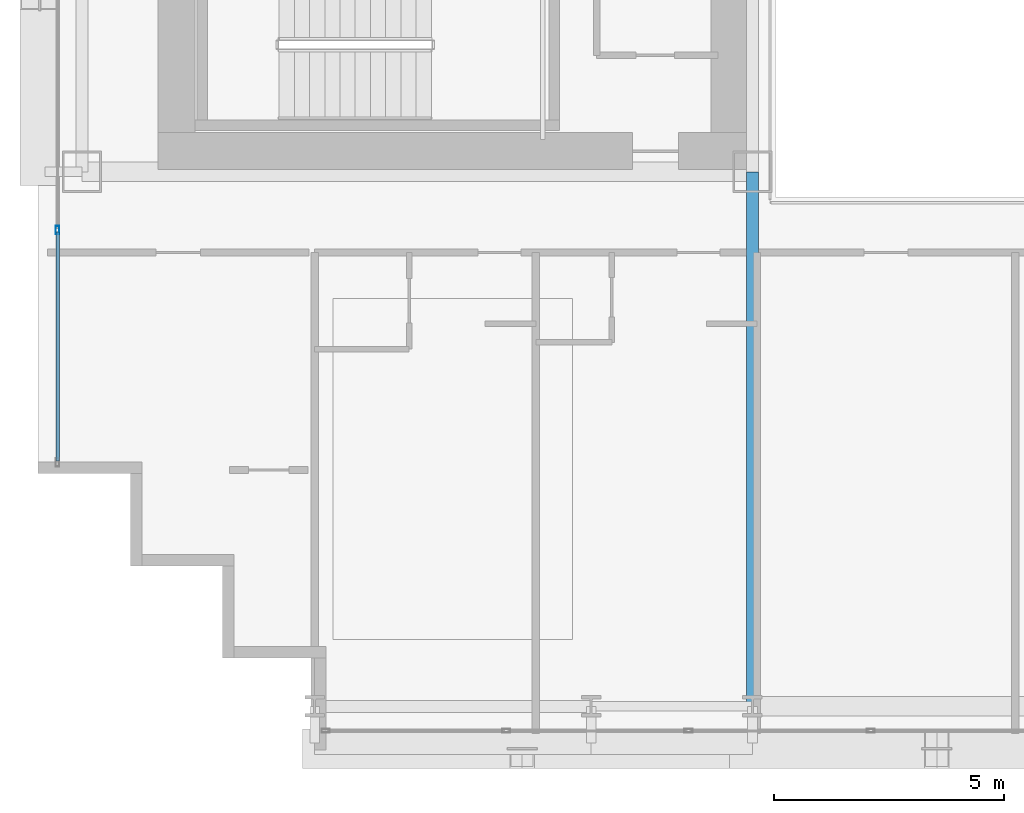
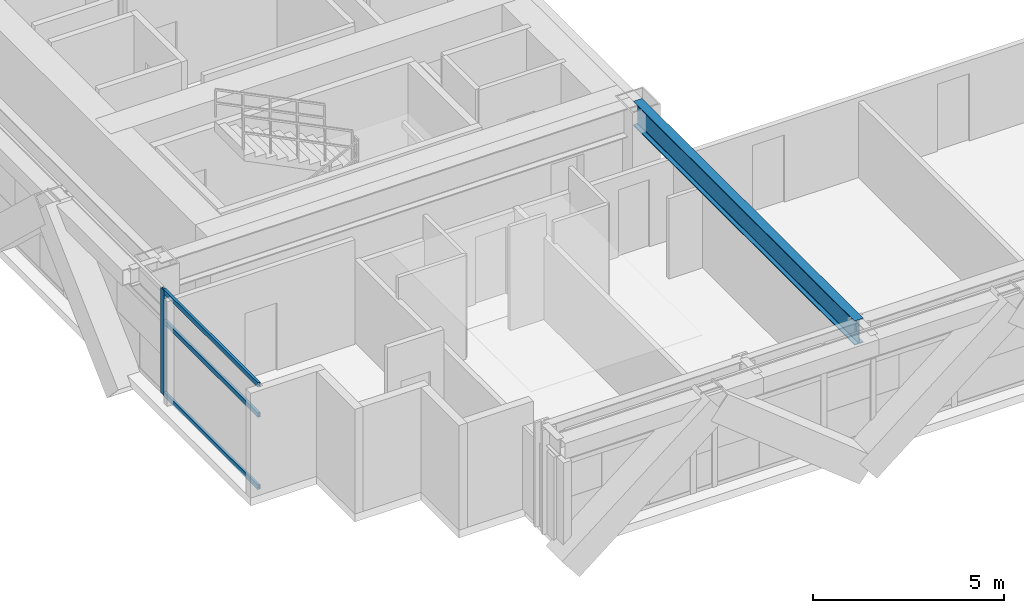
# One storey, part 3 of 35: 4 members, 1 beam, 1 element without a shape of its own.
"""IFC4 building model written with IfcOpenShell, lengths in metres."""

from ifc_helpers import new_model, si_unit, direction, frame, origin, origin_2d, place, context, subcontext, project, spatial, hollow_rectangle, i_section, extrude, source, transform, mapped, material, layer, layer_set, material_profile, profile_set, type_object, element, aggregate, save


model = new_model("IFC4")

# Units and contexts
model_context = context("Model", 3, precision=1e-05, world=origin(), true_north=direction((0.0, 1.0)))
body_context = subcontext(model_context, "Body", "Model", "MODEL_VIEW")
ifc_project = project(units=[si_unit("LENGTHUNIT", "METRE"), si_unit("AREAUNIT", "SQUARE_METRE"), si_unit("VOLUMEUNIT", "CUBIC_METRE"), si_unit("PLANEANGLEUNIT", "RADIAN"), si_unit("MASSUNIT", "GRAM", prefix="KILO")], contexts=[model_context])

# Site, building, storey
site_placement = place(None, origin())
site = spatial("IfcSite", under=ifc_project, at=site_placement, CompositionType="ELEMENT")
building_placement = place(site_placement, origin())
building = spatial("IfcBuilding", under=site, at=building_placement, Name="Ocotamira Hotel", CompositionType="ELEMENT")
storey_placement = place(building_placement, frame((0.0, 0.0, 70.800048828125)))
storey = spatial("IfcBuildingStorey", under=building, at=storey_placement, Name="L17", CompositionType="ELEMENT", Elevation=70.800048828125)

# Beam
ifc_material_1 = material(Name="Steel ASTM A992 Grade 50", Category="steel")
ifc_material_profile_1 = material_profile(ifc_material_1, i_section(OverallWidth=0.26611328125, OverallDepth=0.779052734375, WebThickness=0.0166015625, FlangeThickness=0.030029296875, FilletRadius=0.01806640625, at=origin_2d()), Name="W30X148")
ifc_profile_set_1 = profile_set([ifc_material_profile_1], Name="Steel ASTM A992 Grade 50")
beam_type = type_object("IfcBeamType", Name="BM-GIRD-W30X148", PredefinedType="BEAM", material=ifc_profile_set_1)
shared_shape_1 = source(origin(), body_context, "Body", "SweptSolid", [
    extrude(i_section(OverallWidth=0.26611328125, OverallDepth=0.779052734375, WebThickness=0.0166015625, FlangeThickness=0.030029296875, FilletRadius=0.01806640625, at=origin_2d()), origin(), (0.0, 0.0, 1.0), 11.60009765625),
])
beam_placement = place(storey_placement, frame((23.5, 2.949951171875, 2.96044921875), z_axis=(0.0, 1.0, 0.0), x_axis=(-1.0, 0.0, 0.0)))
element("IfcBeam", 1, at=beam_placement, inside=storey, type_object=beam_type, Name="L17 Beam X23.5 Y2.95-14.55", PredefinedType="BEAM", context=body_context, shape_type="MappedRepresentation", body=[
    mapped(shared_shape_1, transform((0.0, 0.0, 0.0), scale=1.0)),
])

# Curtain wall, members
ifc_material_2 = material(Name="Anodised pale-metal aluminium and solar glass", Category="aluminium")
ifc_layer = layer(ifc_material_2, 0.179931640625)
ifc_layer_set = layer_set([ifc_layer], Name="Anodised pale-metal aluminium and solar glass")
curtain_wall_type = type_object("IfcCurtainWallType", Name="CW-SYS2-Z1", PredefinedType="NOTDEFINED", material=ifc_layer_set)
curtain_wall_placement = place(storey_placement, origin())
curtain_wall = element("IfcCurtainWall", 2, at=curtain_wall_placement, inside=storey, type_object=curtain_wall_type, Name="L17 Curtain Wall CW-2 CW-L17-W", PredefinedType="NOTDEFINED")
ifc_material_3 = material(Name="Anodised pale-metal aluminium 6063-T6", Category="aluminium")
ifc_material_profile_2 = material_profile(ifc_material_3, hollow_rectangle(XDim=0.080078125, YDim=0.179931640625, WallThickness=0.006103515625, at=origin_2d()), Name="HSS180X80X6")
ifc_profile_set_2 = profile_set([ifc_material_profile_2], Name="Anodised pale-metal aluminium 6063-T6")
member_type_1 = type_object("IfcMemberType", Name="CWM-180X75", PredefinedType="MULLION", material=ifc_profile_set_2)
shared_shape_2 = source(origin(), body_context, "Body", "SweptSolid", [
    extrude(hollow_rectangle(XDim=0.080078125, YDim=0.179931640625, WallThickness=0.006103515625, at=origin_2d()), origin(), (0.0, 0.0, 1.0), 3.349853515625),
])
member_1_placement = place(storey_placement, frame((8.419921875, 13.28564453125, 0.0), z_axis=(0.0, 0.0, 1.0), x_axis=(-1.0, 0.0, 0.0)))
member_1 = element("IfcMember", 3, at=member_1_placement, type_object=member_type_1, Name="CW-2 mullion 2", PredefinedType="MULLION", context=body_context, shape_type="MappedRepresentation", body=[
    mapped(shared_shape_2, transform((0.0, 0.0, 0.0), scale=1.0)),
])
ifc_material_profile_3 = material_profile(ifc_material_3, hollow_rectangle(XDim=0.074951171875, YDim=0.14990234375, WallThickness=0.006103515625, at=origin_2d()), Name="HSS150X75X6")
ifc_profile_set_3 = profile_set([ifc_material_profile_3], Name="Anodised pale-metal aluminium 6063-T6")
member_type_2 = type_object("IfcMemberType", Name="CWT-150X75", PredefinedType="USERDEFINED", material=ifc_profile_set_3)
shared_shape_3 = source(origin(), body_context, "Body", "SweptSolid", [
    extrude(hollow_rectangle(XDim=0.074951171875, YDim=0.14990234375, WallThickness=0.006103515625, at=origin_2d()), origin(), (0.0, 0.0, 1.0), 4.965576171875),
])
member_2_placement = place(storey_placement, frame((8.419921875, 8.280029296875, 0.037353515625), z_axis=(0.0, 1.0, 0.0), x_axis=(-1.0, 0.0, 0.0)))
member_2 = element("IfcMember", 4, at=member_2_placement, type_object=member_type_2, Name="CW-2 transom 1.1", ObjectType="TRANSOM", PredefinedType="USERDEFINED", context=body_context, shape_type="MappedRepresentation", body=[
    mapped(shared_shape_3, transform((0.0, 0.0, 0.0), scale=1.0)),
])
member_3_placement = place(storey_placement, frame((8.419921875, 8.280029296875, 2.349853515625), z_axis=(0.0, 1.0, 0.0), x_axis=(-1.0, 0.0, 0.0)))
member_3 = element("IfcMember", 5, at=member_3_placement, type_object=member_type_2, Name="CW-2 transom 1.2", ObjectType="TRANSOM", PredefinedType="USERDEFINED", context=body_context, shape_type="MappedRepresentation", body=[
    mapped(shared_shape_3, transform((0.0, 0.0, 0.0), scale=1.0)),
])
member_4_placement = place(storey_placement, frame((8.419921875, 8.280029296875, 3.3125), z_axis=(0.0, 1.0, 0.0), x_axis=(-1.0, 0.0, 0.0)))
member_4 = element("IfcMember", 6, at=member_4_placement, type_object=member_type_2, Name="CW-2 transom 1.3", ObjectType="TRANSOM", PredefinedType="USERDEFINED", context=body_context, shape_type="MappedRepresentation", body=[
    mapped(shared_shape_3, transform((0.0, 0.0, 0.0), scale=1.0)),
])
aggregate(curtain_wall, [member_1, member_2, member_3, member_4])

save(model, "model.ifc")
